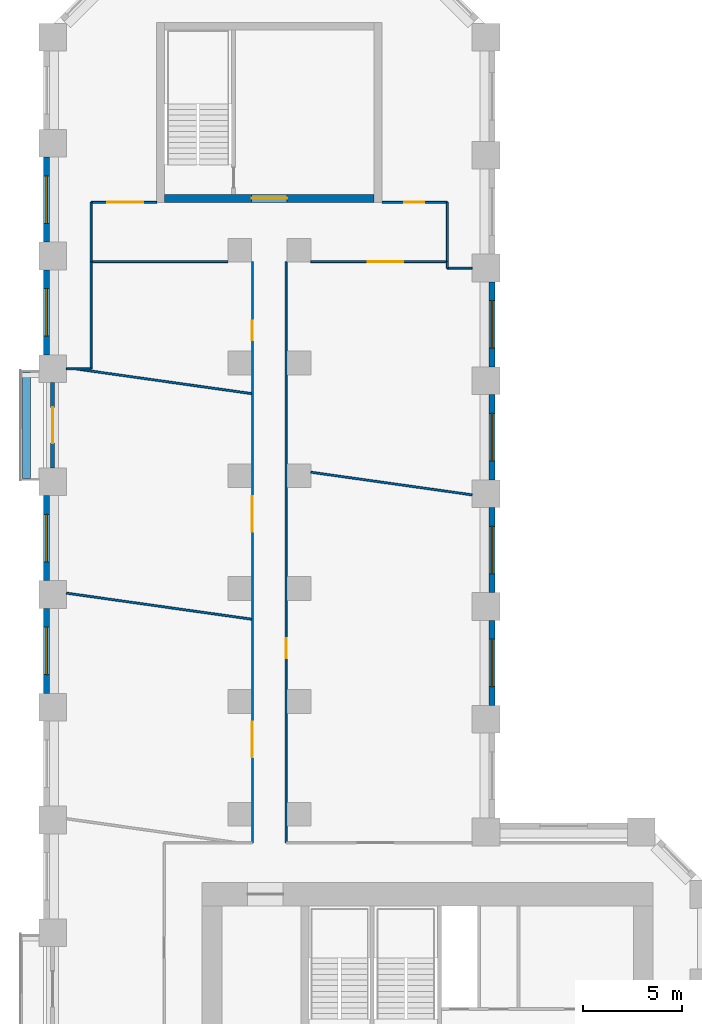
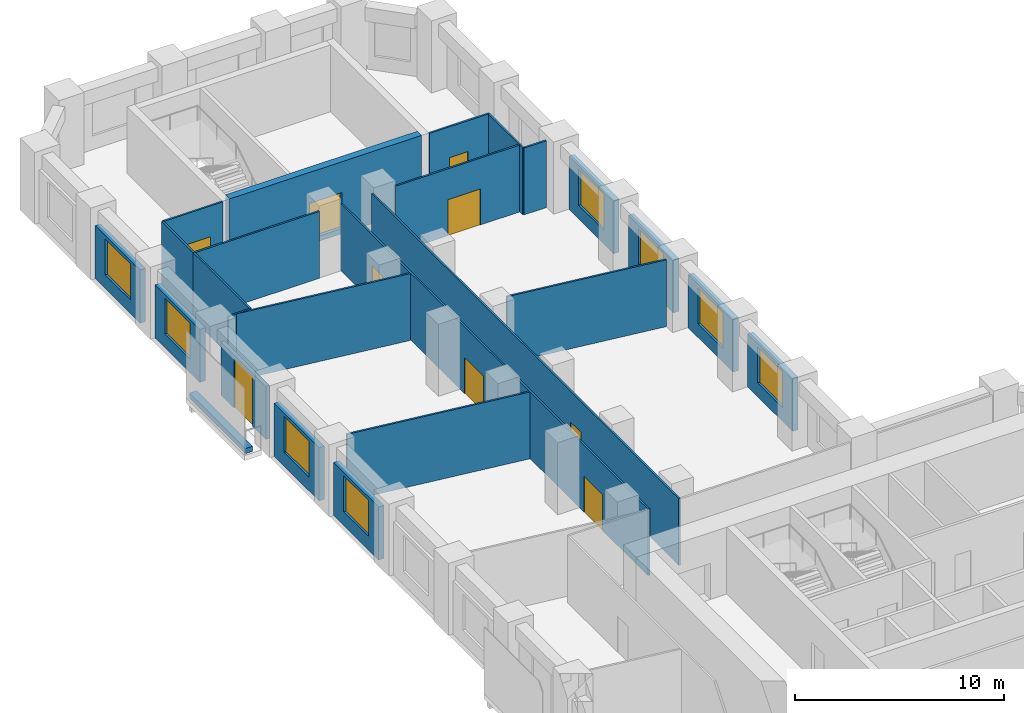
# One storey, part 8 of 11: 26 walls, 9 doors, 8 windows, 17 openings.
"""IFC4 building model written with IfcOpenShell, lengths in metres."""

import ifcopenshell
import ifcopenshell.guid

model = None  # the IFC model being written
_history = None  # IfcOwnerHistory: only IFC2X3 demands one
_inside = {}  # id of a spatial element -> (the spatial element, [elements in it])
_under = {}  # id of a project, library or spatial element -> (it, [spatial elements below it])
_declared = {}  # id of a project -> (the project, [libraries it declares])
_typed = {}  # id of a type object -> (the type object, [elements of that type])
_made_of = {}  # id of a material, layer set ... -> (it, [elements and type objects made of it])


def new_model(schema):
    """Start an empty IFC model of exactly this schema.

    Asked for "IFC4X3", IfcOpenShell would pick the latest addendum, in which some entities
    have other attributes; the version numbers below select the first issue.
    IFC2X3 requires an IfcOwnerHistory on every rooted entity: one is made here for all.
    """
    global model, _history
    if schema == "IFC4X3":
        model = ifcopenshell.file(schema_version=(4, 3, 0, 0))
    else:
        model = ifcopenshell.file(schema=schema)
    _inside.clear()
    _under.clear()
    _declared.clear()
    _typed.clear()
    _made_of.clear()
    _history = None
    if model.schema == "IFC2X3":
        org = make("IfcOrganization", Name="unknown")
        user = make(
            "IfcPersonAndOrganization",
            ThePerson=make("IfcPerson", FamilyName="unknown"),
            TheOrganization=org,
        )
        app = make(
            "IfcApplication",
            ApplicationDeveloper=org,
            Version="unknown",
            ApplicationFullName="unknown",
            ApplicationIdentifier="unknown",
        )
        _history = make(
            "IfcOwnerHistory",
            OwningUser=user,
            OwningApplication=app,
            ChangeAction="ADDED",
            CreationDate=0,
        )
    return model


def make(cls, **values):
    """One entity of the class cls with the attributes given. An attribute that is None is left unset."""
    return model.create_entity(
        cls, **{name: value for name, value in values.items() if value is not None}
    )


def rooted(cls, **values):
    """An entity with a GlobalId (a new one), such as an element, a storey or a relation."""
    return make(cls, GlobalId=ifcopenshell.guid.new(), OwnerHistory=_history, **values)


def si_unit(unit_type, name, prefix=None):
    """IfcSIUnit, for example si_unit("LENGTHUNIT", "METRE", prefix="MILLI")."""
    return make("IfcSIUnit", UnitType=unit_type, Prefix=prefix, Name=name)


def assignment(units):
    """IfcUnitAssignment: the units of a project."""
    return None if units is None else make("IfcUnitAssignment", Units=units)


def point(xyz):
    """IfcCartesianPoint."""
    return None if xyz is None else make("IfcCartesianPoint", Coordinates=xyz)


def direction(xyz):
    """IfcDirection."""
    return None if xyz is None else make("IfcDirection", DirectionRatios=xyz)


def frame(location, z_axis=None, x_axis=None):
    """IfcAxis2Placement3D, a coordinate frame: its origin and axes. An axis left out is left unset."""
    return make(
        "IfcAxis2Placement3D",
        Location=point(location),
        Axis=direction(z_axis),
        RefDirection=direction(x_axis),
    )


def frame_2d(location, x_axis=None):
    """IfcAxis2Placement2D, a coordinate frame in the plane: its origin and x axis."""
    return make(
        "IfcAxis2Placement2D", Location=point(location), RefDirection=direction(x_axis)
    )


def origin():
    """The frame at (0, 0, 0) with its axes left unset."""
    return frame((0.0, 0.0, 0.0))


def place(relative_to, where):
    """IfcLocalPlacement: puts the frame where relative to a parent placement (None: the world)."""
    return make(
        "IfcLocalPlacement", PlacementRelTo=relative_to, RelativePlacement=where
    )


def context(
    kind, dimensions, precision=None, world=None, true_north=None, identifier=None
):
    """IfcGeometricRepresentationContext, for example the 3D "Model" context."""
    return make(
        "IfcGeometricRepresentationContext",
        ContextIdentifier=identifier,
        ContextType=kind,
        CoordinateSpaceDimension=dimensions,
        Precision=precision,
        WorldCoordinateSystem=world,
        TrueNorth=true_north,
    )


def subcontext(parent, identifier, kind, view, scale=None):
    """IfcGeometricRepresentationSubContext, for example "Body" below "Model"."""
    return make(
        "IfcGeometricRepresentationSubContext",
        ContextIdentifier=identifier,
        ContextType=kind,
        ParentContext=parent,
        TargetScale=scale,
        TargetView=view,
    )


def project(units=None, contexts=None):
    """IfcProject with its units and contexts."""
    return rooted(
        "IfcProject",
        Name="project",
        RepresentationContexts=contexts,
        UnitsInContext=assignment(units),
    )


def spatial(cls, under=None, at=None, **own):
    """A site, building, storey or space (cls), placed at a placement, below another one or the project."""
    s = rooted(cls, ObjectPlacement=at, **own)
    if under is not None:
        _under.setdefault(under.id(), (under, []))[1].append(s)
    return s


def profile(cls, at=None, kind="AREA", **sizes):
    """A parametric profile (cls). Its sizes go by their IFC names, for example OverallWidth=200.0."""
    return make(cls, ProfileType=kind, Position=at, **sizes)


def rectangle(**sizes):
    """IfcRectangleProfileDef."""
    return profile("IfcRectangleProfileDef", **sizes)


def extrude(swept, where, along, depth):
    """IfcExtrudedAreaSolid: the profile swept, set in the frame where, extruded along a direction by depth."""
    return make(
        "IfcExtrudedAreaSolid",
        SweptArea=swept,
        Position=where,
        ExtrudedDirection=direction(along),
        Depth=depth,
    )


def shape(context_of_items, identifier, shape_type, items):
    """IfcShapeRepresentation: the items that make up one representation, for example the "Body"."""
    return make(
        "IfcShapeRepresentation",
        ContextOfItems=context_of_items,
        RepresentationIdentifier=identifier,
        RepresentationType=shape_type,
        Items=items,
    )


def material(Name=None, Category=None):
    """IfcMaterial."""
    return make("IfcMaterial", Name=Name, Category=Category)


def layer(
    of_material, thickness, ventilated=None, Name=None, Category=None, Priority=None
):
    """IfcMaterialLayer: one layer of a wall or slab, of a material (None: an air gap)."""
    return make(
        "IfcMaterialLayer",
        Material=of_material,
        LayerThickness=thickness,
        IsVentilated=ventilated,
        Name=Name,
        Category=Category,
        Priority=Priority,
    )


def layer_set(layers, Name=None):
    """IfcMaterialLayerSet."""
    return make("IfcMaterialLayerSet", MaterialLayers=layers, LayerSetName=Name)


def made_of(thing, what):
    """Note that an element or type object is made of a material, layer set ...; save() writes the relation."""
    if what is not None:
        _made_of.setdefault(what.id(), (what, []))[1].append(thing)
    return thing


def type_object(cls, material=None, **own):
    """A type object (cls), such as IfcWallType, which elements share."""
    return made_of(rooted(cls, **own), material)


def element(
    cls,
    number,
    at=None,
    inside=None,
    cuts=None,
    type_object=None,
    material=None,
    context=None,
    identifier="Body",
    shape_type=None,
    held_by="IfcProductDefinitionShape",
    body=None,
    shapes=None,
    **own,
):
    """One element of the class cls, such as IfcWall. Its Tag is "e" and its number.

    at: its placement. inside: the storey or other place that contains it. cuts: it is an
    opening in that element (IfcRelVoidsElement). A single representation is given by context,
    identifier, shape_type and body (its items); several are given by shapes. held_by: the class
    of the entity that holds the representations. save() writes the other relations.
    """
    e = rooted(cls, Tag="e%d" % number, ObjectPlacement=at, **own)
    if body is not None:
        shapes = [shape(context, identifier, shape_type, body)]
    if shapes is not None:
        e.Representation = make(held_by, Representations=shapes)
    if inside is not None:
        _inside.setdefault(inside.id(), (inside, []))[1].append(e)
    if cuts is not None:
        rooted(
            "IfcRelVoidsElement", RelatingBuildingElement=cuts, RelatedOpeningElement=e
        )
    if type_object is not None:
        _typed.setdefault(type_object.id(), (type_object, []))[1].append(e)
    return made_of(e, material)


def fill(opening, filler):
    """IfcRelFillsElement: the door or window that sits in an opening."""
    return rooted(
        "IfcRelFillsElement",
        RelatingOpeningElement=opening,
        RelatedBuildingElement=filler,
    )


def aggregate(whole, parts):
    """IfcRelAggregates: a whole, such as a stair, and the parts it consists of."""
    return rooted("IfcRelAggregates", RelatingObject=whole, RelatedObjects=parts)


def save(model, path):
    """Write the relations noted so far, then the file.

    IfcRelAggregates (storeys below a building ...), IfcRelContainedInSpatialStructure (elements
    in a storey), IfcRelDefinesByType, IfcRelAssociatesMaterial and IfcRelDeclares: one each for
    every whole, place, type object, material and project.
    """
    for whole, parts in _under.values():
        aggregate(whole, parts)
    for where, things in _inside.values():
        rooted(
            "IfcRelContainedInSpatialStructure",
            RelatedElements=things,
            RelatingStructure=where,
        )
    for kind, things in _typed.values():
        rooted("IfcRelDefinesByType", RelatedObjects=things, RelatingType=kind)
    for what, things in _made_of.values():
        rooted("IfcRelAssociatesMaterial", RelatedObjects=things, RelatingMaterial=what)
    for by, libraries in _declared.values():
        rooted("IfcRelDeclares", RelatingContext=by, RelatedDefinitions=libraries)
    model.write(path)


model = new_model("IFC4")

# Units and contexts
model_context = context("Model", 3, precision=1e-05, world=origin(), true_north=direction((0.0, 1.0)))
body_context = subcontext(model_context, "Body", "Model", "MODEL_VIEW")
ifc_project = project(units=[si_unit("LENGTHUNIT", "METRE"), si_unit("AREAUNIT", "SQUARE_METRE"), si_unit("VOLUMEUNIT", "CUBIC_METRE"), si_unit("PLANEANGLEUNIT", "RADIAN"), si_unit("MASSUNIT", "GRAM", prefix="KILO")], contexts=[model_context])

# Site, building, storey
site_placement = place(None, origin())
site = spatial("IfcSite", under=ifc_project, at=site_placement, CompositionType="ELEMENT")
building_placement = place(site_placement, origin())
building = spatial("IfcBuilding", under=site, at=building_placement, Name="Meshkara Civic Tower", CompositionType="ELEMENT")
storey_placement = place(building_placement, frame((0.0, 0.0, 75.0)))
storey = spatial("IfcBuildingStorey", under=building, at=storey_placement, Name="L16", CompositionType="ELEMENT", Elevation=75.0)

# Walls
ifc_material_1 = material(Name="Corridor wall 100")
ifc_layer_1 = layer(ifc_material_1, 0.10009765625)
ifc_layer_set_1 = layer_set([ifc_layer_1], Name="Corridor wall 100")
wall_type_1 = type_object("IfcWallType", Name="Corridor wall 100", PredefinedType="PARTITIONING", material=ifc_layer_set_1)
wall_1_placement = place(storey_placement, frame((2.39990234375, 68.27001953125, 0.0), z_axis=(0.0, 0.0, 1.0), x_axis=(1.0, 0.0, 0.0)))
element("IfcWall", 1, at=wall_1_placement, inside=storey, type_object=wall_type_1, Name="L16-W001", PredefinedType="PARTITIONING", context=body_context, shape_type="SweptSolid", body=[
    extrude(rectangle(XDim=6.900146484375, YDim=0.10009765625, at=frame_2d((3.4501953125, 0.0))), origin(), (0.0, 0.0, 1.0), 3.89990234375),
])
wall_2_placement = place(storey_placement, frame((2.39990234375, 71.27001953125, 0.0), z_axis=(0.0, 0.0, 1.0), x_axis=(0.0, -1.0, 0.0)))
element("IfcWall", 2, at=wall_2_placement, inside=storey, type_object=wall_type_1, Name="L16-W002", PredefinedType="PARTITIONING", context=body_context, shape_type="SweptSolid", body=[
    extrude(rectangle(XDim=3.0, YDim=0.10009765625, at=frame_2d((1.5, 0.0))), origin(), (0.0, 0.0, 1.0), 3.89990234375),
])

# Wall, opening, door
wall_3_placement = place(storey_placement, frame((5.699951171875, 71.27001953125, 0.0), z_axis=(0.0, 0.0, 1.0), x_axis=(-1.0, 0.0, 0.0)))
wall_3 = element("IfcWall", 3, at=wall_3_placement, inside=storey, type_object=wall_type_1, Name="L16-W003", PredefinedType="PARTITIONING", context=body_context, shape_type="SweptSolid", body=[
    extrude(rectangle(XDim=3.300048828125, YDim=0.10009765625, at=frame_2d((1.64990234375, 0.0))), origin(), (0.0, 0.0, 1.0), 3.89990234375),
])
opening_1_placement = place(wall_3_placement, frame((0.679931640625, 0.0, 0.0)))
opening_1 = element("IfcOpeningElement", 4, at=opening_1_placement, cuts=wall_3, Name="Opening L16-D025", PredefinedType="OPENING", context=body_context, shape_type="SweptSolid", body=[
    extrude(rectangle(XDim=1.800048828125, YDim=2.10009765625, at=frame_2d((0.89990234375, 1.050048828125))), frame((0.0, 0.06005859375, 0.0), z_axis=(0.0, -1.0, 0.0), x_axis=(1.0, 0.0, 0.0)), (0.0, 0.0, 1.0), 0.1201171875),
])
ifc_material_2 = material(Name="Door pair 1800 x 2100")
door_type_1 = type_object("IfcDoorType", Name="Door pair 1800 x 2100", OperationType="SINGLE_SWING_LEFT", PredefinedType="DOOR", material=ifc_material_2)
door_1_placement = place(opening_1_placement, origin())
door_1 = element("IfcDoor", 5, at=door_1_placement, inside=storey, type_object=door_type_1, Name="L16-D025", OperationType="DOUBLE_DOOR_SINGLE_SWING", OverallHeight=2.10009765625, OverallWidth=1.800048828125, PredefinedType="DOOR", context=body_context, shape_type="SweptSolid", body=[
    extrude(rectangle(XDim=1.800048828125, YDim=2.10009765625, at=frame_2d((0.89990234375, 1.050048828125))), frame((0.0, 0.02490234375, 0.0), z_axis=(0.0, -1.0, 0.0), x_axis=(1.0, 0.0, 0.0)), (0.0, 0.0, 1.0), 0.050048828125),
])
fill(opening_1, door_1)

# Wall, openings, doors
wall_4_placement = place(storey_placement, frame((10.550048828125, 68.27001953125, 0.0), z_axis=(0.0, 0.0, 1.0), x_axis=(0.0, -1.0, 0.0)))
wall_4 = element("IfcWall", 6, at=wall_4_placement, inside=storey, type_object=wall_type_1, Name="L16-W012", PredefinedType="PARTITIONING", context=body_context, shape_type="SweptSolid", body=[
    extrude(rectangle(XDim=29.3701171875, YDim=0.10009765625, at=frame_2d((14.68505859375, 0.0))), origin(), (0.0, 0.0, 1.0), 3.89990234375),
])
opening_2_placement = place(wall_4_placement, frame((23.2451171875, 0.0, 0.0)))
opening_2 = element("IfcOpeningElement", 7, at=opening_2_placement, cuts=wall_4, Name="Opening L16-D021", PredefinedType="OPENING", context=body_context, shape_type="SweptSolid", body=[
    extrude(rectangle(XDim=1.800048828125, YDim=2.10009765625, at=frame_2d((0.89990234375, 1.050048828125))), frame((0.0, 0.06005859375, 0.0), z_axis=(0.0, -1.0, 0.0), x_axis=(1.0, 0.0, 0.0)), (0.0, 0.0, 1.0), 0.1201171875),
])
opening_3_placement = place(wall_4_placement, frame((11.844970703125, 0.0, 0.0)))
opening_3 = element("IfcOpeningElement", 8, at=opening_3_placement, cuts=wall_4, Name="Opening L16-D023", PredefinedType="OPENING", context=body_context, shape_type="SweptSolid", body=[
    extrude(rectangle(XDim=1.800048828125, YDim=2.10009765625, at=frame_2d((0.89990234375, 1.050048828125))), frame((0.0, 0.06005859375, 0.0), z_axis=(0.0, -1.0, 0.0), x_axis=(1.0, 0.0, 0.0)), (0.0, 0.0, 1.0), 0.1201171875),
])
opening_4_placement = place(wall_4_placement, frame((2.97998046875, 0.0, 0.0)))
opening_4 = element("IfcOpeningElement", 9, at=opening_4_placement, cuts=wall_4, Name="Opening L16-D024", PredefinedType="OPENING", context=body_context, shape_type="SweptSolid", body=[
    extrude(rectangle(XDim=1.0, YDim=2.10009765625, at=frame_2d((0.5, 1.050048828125))), frame((0.0, 0.06005859375, 0.0), z_axis=(0.0, -1.0, 0.0), x_axis=(1.0, 0.0, 0.0)), (0.0, 0.0, 1.0), 0.1201171875),
])
ifc_material_3 = material(Name="Door 1000 x 2100")
door_type_2 = type_object("IfcDoorType", Name="Door 1000 x 2100", OperationType="SINGLE_SWING_LEFT", PredefinedType="DOOR", material=ifc_material_3)
door_2_placement = place(opening_4_placement, origin())
door_2 = element("IfcDoor", 10, at=door_2_placement, inside=storey, type_object=door_type_2, Name="L16-D024", OperationType="SINGLE_SWING_LEFT", OverallHeight=2.10009765625, OverallWidth=1.0, PredefinedType="DOOR", context=body_context, shape_type="SweptSolid", body=[
    extrude(rectangle(XDim=1.0, YDim=2.10009765625, at=frame_2d((0.5, 1.050048828125))), frame((0.0, 0.02490234375, 0.0), z_axis=(0.0, -1.0, 0.0), x_axis=(1.0, 0.0, 0.0)), (0.0, 0.0, 1.0), 0.050048828125),
])
fill(opening_4, door_2)
door_3_placement = place(opening_2_placement, origin())
door_3 = element("IfcDoor", 11, at=door_3_placement, inside=storey, type_object=door_type_1, Name="L16-D021", OperationType="DOUBLE_DOOR_SINGLE_SWING", OverallHeight=2.10009765625, OverallWidth=1.800048828125, PredefinedType="DOOR", context=body_context, shape_type="SweptSolid", body=[
    extrude(rectangle(XDim=1.800048828125, YDim=2.10009765625, at=frame_2d((0.89990234375, 1.050048828125))), frame((0.0, 0.02490234375, 0.0), z_axis=(0.0, -1.0, 0.0), x_axis=(1.0, 0.0, 0.0)), (0.0, 0.0, 1.0), 0.050048828125),
])
fill(opening_2, door_3)
door_4_placement = place(opening_3_placement, origin())
door_4 = element("IfcDoor", 12, at=door_4_placement, inside=storey, type_object=door_type_1, Name="L16-D023", OperationType="DOUBLE_DOOR_SINGLE_SWING", OverallHeight=2.10009765625, OverallWidth=1.800048828125, PredefinedType="DOOR", context=body_context, shape_type="SweptSolid", body=[
    extrude(rectangle(XDim=1.800048828125, YDim=2.10009765625, at=frame_2d((0.89990234375, 1.050048828125))), frame((0.0, 0.02490234375, 0.0), z_axis=(0.0, -1.0, 0.0), x_axis=(1.0, 0.0, 0.0)), (0.0, 0.0, 1.0), 0.050048828125),
])
fill(opening_3, door_4)

# Wall, opening, door
wall_5_placement = place(storey_placement, frame((12.25, 68.27001953125, 0.0), z_axis=(0.0, 0.0, 1.0), x_axis=(0.0, -1.0, 0.0)))
wall_5 = element("IfcWall", 13, at=wall_5_placement, inside=storey, type_object=wall_type_1, Name="L16-W013", PredefinedType="PARTITIONING", context=body_context, shape_type="SweptSolid", body=[
    extrude(rectangle(XDim=29.3701171875, YDim=0.10009765625, at=frame_2d((14.68505859375, 0.0))), origin(), (0.0, 0.0, 1.0), 3.89990234375),
])
opening_5_placement = place(wall_5_placement, frame((19.0419921875, 0.0, 0.0)))
opening_5 = element("IfcOpeningElement", 14, at=opening_5_placement, cuts=wall_5, Name="Opening L16-D022", PredefinedType="OPENING", context=body_context, shape_type="SweptSolid", body=[
    extrude(rectangle(XDim=1.0, YDim=2.10009765625, at=frame_2d((0.5, 1.050048828125))), frame((0.0, 0.06005859375, 0.0), z_axis=(0.0, -1.0, 0.0), x_axis=(1.0, 0.0, 0.0)), (0.0, 0.0, 1.0), 0.1201171875),
])
door_5_placement = place(opening_5_placement, origin())
door_5 = element("IfcDoor", 15, at=door_5_placement, inside=storey, type_object=door_type_2, Name="L16-D022", OperationType="SINGLE_SWING_LEFT", OverallHeight=2.10009765625, OverallWidth=1.0, PredefinedType="DOOR", context=body_context, shape_type="SweptSolid", body=[
    extrude(rectangle(XDim=1.0, YDim=2.10009765625, at=frame_2d((0.5, 1.050048828125))), frame((0.0, 0.02490234375, 0.0), z_axis=(0.0, -1.0, 0.0), x_axis=(1.0, 0.0, 0.0)), (0.0, 0.0, 1.0), 0.050048828125),
])
fill(opening_5, door_5)

wall_6_placement = place(storey_placement, frame((13.5, 68.27001953125, 0.0), z_axis=(0.0, 0.0, 1.0), x_axis=(1.0, 0.0, 0.0)))
wall_6 = element("IfcWall", 16, at=wall_6_placement, inside=storey, type_object=wall_type_1, Name="L16-W015", PredefinedType="PARTITIONING", context=body_context, shape_type="SweptSolid", body=[
    extrude(rectangle(XDim=6.89990234375, YDim=0.10009765625, at=frame_2d((3.449951171875, 0.0))), origin(), (0.0, 0.0, 1.0), 3.89990234375),
])
opening_6_placement = place(wall_6_placement, frame((2.8798828125, 0.0, 0.0)))
opening_6 = element("IfcOpeningElement", 17, at=opening_6_placement, cuts=wall_6, Name="Opening L16-D026", PredefinedType="OPENING", context=body_context, shape_type="SweptSolid", body=[
    extrude(rectangle(XDim=1.800048828125, YDim=2.10009765625, at=frame_2d((0.89990234375, 1.050048828125))), frame((0.0, 0.06005859375, 0.0), z_axis=(0.0, -1.0, 0.0), x_axis=(1.0, 0.0, 0.0)), (0.0, 0.0, 1.0), 0.1201171875),
])
door_6_placement = place(opening_6_placement, origin())
door_6 = element("IfcDoor", 18, at=door_6_placement, inside=storey, type_object=door_type_1, Name="L16-D026", OperationType="DOUBLE_DOOR_SINGLE_SWING", OverallHeight=2.10009765625, OverallWidth=1.800048828125, PredefinedType="DOOR", context=body_context, shape_type="SweptSolid", body=[
    extrude(rectangle(XDim=1.800048828125, YDim=2.10009765625, at=frame_2d((0.89990234375, 1.050048828125))), frame((0.0, 0.02490234375, 0.0), z_axis=(0.0, -1.0, 0.0), x_axis=(1.0, 0.0, 0.0)), (0.0, 0.0, 1.0), 0.050048828125),
])
fill(opening_6, door_6)

# Wall
wall_7_placement = place(storey_placement, frame((20.39990234375, 68.27001953125, 0.0), z_axis=(0.0, 0.0, 1.0), x_axis=(0.0, 1.0, 0.0)))
element("IfcWall", 19, at=wall_7_placement, inside=storey, type_object=wall_type_1, Name="L16-W016", PredefinedType="PARTITIONING", context=body_context, shape_type="SweptSolid", body=[
    extrude(rectangle(XDim=3.0, YDim=0.10009765625, at=frame_2d((1.5, 0.0))), origin(), (0.0, 0.0, 1.0), 3.89990234375),
])

# Wall, opening, door
wall_8_placement = place(storey_placement, frame((20.39990234375, 71.27001953125, 0.0), z_axis=(0.0, 0.0, 1.0), x_axis=(-1.0, 0.0, 0.0)))
wall_8 = element("IfcWall", 20, at=wall_8_placement, inside=storey, type_object=wall_type_1, Name="L16-W017", PredefinedType="PARTITIONING", context=body_context, shape_type="SweptSolid", body=[
    extrude(rectangle(XDim=3.2998046875, YDim=0.10009765625, at=frame_2d((1.64990234375, 0.0))), origin(), (0.0, 0.0, 1.0), 3.89990234375),
])
opening_7_placement = place(wall_8_placement, frame((1.179931640625, 0.0, 0.0)))
opening_7 = element("IfcOpeningElement", 21, at=opening_7_placement, cuts=wall_8, Name="Opening L16-D027", PredefinedType="OPENING", context=body_context, shape_type="SweptSolid", body=[
    extrude(rectangle(XDim=1.0, YDim=2.10009765625, at=frame_2d((0.5, 1.050048828125))), frame((0.0, 0.06005859375, 0.0), z_axis=(0.0, -1.0, 0.0), x_axis=(1.0, 0.0, 0.0)), (0.0, 0.0, 1.0), 0.1201171875),
])
door_7_placement = place(opening_7_placement, origin())
door_7 = element("IfcDoor", 22, at=door_7_placement, inside=storey, type_object=door_type_2, Name="L16-D027", OperationType="SINGLE_SWING_LEFT", OverallHeight=2.10009765625, OverallWidth=1.0, PredefinedType="DOOR", context=body_context, shape_type="SweptSolid", body=[
    extrude(rectangle(XDim=1.0, YDim=2.10009765625, at=frame_2d((0.5, 1.050048828125))), frame((0.0, 0.02490234375, 0.0), z_axis=(0.0, -1.0, 0.0), x_axis=(1.0, 0.0, 0.0)), (0.0, 0.0, 1.0), 0.050048828125),
])
fill(opening_7, door_7)

# Wall, opening, window
ifc_material_4 = material(Name="Insulated infill panel with bronze anodised aluminium cladding", Category="aluminium")
ifc_layer_2 = layer(ifc_material_4, 0.300048828125)
ifc_layer_set_2 = layer_set([ifc_layer_2], Name="EXTERNAL INFILL WALL 300")
wall_type_2 = type_object("IfcWallType", Name="EXTERNAL INFILL WALL 300", PredefinedType="SOLIDWALL", material=ifc_layer_set_2)
wall_9_placement = place(storey_placement, frame((22.64990234375, 45.85009765625, 0.0), z_axis=(0.0, 0.0, 1.0), x_axis=(0.0, 1.0, 0.0)))
wall_9 = element("IfcWall", 23, at=wall_9_placement, inside=storey, type_object=wall_type_2, Name="External wall", PredefinedType="SOLIDWALL", context=body_context, shape_type="SweptSolid", body=[
    extrude(rectangle(XDim=4.2998046875, YDim=0.300048828125, at=frame_2d((2.14990234375, 0.0))), origin(), (0.0, 0.0, 1.0), 3.10009765625),
])
opening_8_placement = place(wall_9_placement, frame((0.949951171875, 0.0, 0.800048828125)))
opening_8 = element("IfcOpeningElement", 24, at=opening_8_placement, cuts=wall_9, Name="Opening W7", PredefinedType="OPENING", context=body_context, shape_type="SweptSolid", body=[
    extrude(rectangle(XDim=2.39990234375, YDim=2.10009765625, at=frame_2d((1.199951171875, 1.050048828125))), frame((0.0, 0.159912109375, 0.0), z_axis=(0.0, -1.0, 0.0), x_axis=(1.0, 0.0, 0.0)), (0.0, 0.0, 1.0), 0.320068359375),
])
ifc_material_5 = material(Name="Tinted double glazing", Category="glass")
window_type = type_object("IfcWindowType", Name="WINDOW 2400x2100", PartitioningType="DOUBLE_PANEL_VERTICAL", PredefinedType="WINDOW", material=ifc_material_5)
window_1_placement = place(opening_8_placement, origin())
window_1 = element("IfcWindow", 25, at=window_1_placement, inside=storey, type_object=window_type, Name="Window", OverallHeight=2.10009765625, OverallWidth=2.39990234375, PartitioningType="DOUBLE_PANEL_VERTICAL", PredefinedType="WINDOW", context=body_context, shape_type="SweptSolid", body=[
    extrude(rectangle(XDim=2.39990234375, YDim=2.10009765625, at=frame_2d((1.199951171875, 1.050048828125))), frame((0.0, 0.030029296875, 0.0), z_axis=(0.0, -1.0, 0.0), x_axis=(1.0, 0.0, 0.0)), (0.0, 0.0, 1.0), 0.06005859375),
])
fill(opening_8, window_1)

wall_10_placement = place(storey_placement, frame((22.64990234375, 51.550048828125, 0.0), z_axis=(0.0, 0.0, 1.0), x_axis=(0.0, 1.0, 0.0)))
wall_10 = element("IfcWall", 26, at=wall_10_placement, inside=storey, type_object=wall_type_2, Name="External wall", PredefinedType="SOLIDWALL", context=body_context, shape_type="SweptSolid", body=[
    extrude(rectangle(XDim=4.300048828125, YDim=0.300048828125, at=frame_2d((2.14990234375, 0.0))), origin(), (0.0, 0.0, 1.0), 3.10009765625),
])
opening_9_placement = place(wall_10_placement, frame((0.949951171875, 0.0, 0.800048828125)))
opening_9 = element("IfcOpeningElement", 27, at=opening_9_placement, cuts=wall_10, Name="Opening W7", PredefinedType="OPENING", context=body_context, shape_type="SweptSolid", body=[
    extrude(rectangle(XDim=2.39990234375, YDim=2.10009765625, at=frame_2d((1.199951171875, 1.050048828125))), frame((0.0, 0.159912109375, 0.0), z_axis=(0.0, -1.0, 0.0), x_axis=(1.0, 0.0, 0.0)), (0.0, 0.0, 1.0), 0.320068359375),
])
window_2_placement = place(opening_9_placement, origin())
window_2 = element("IfcWindow", 28, at=window_2_placement, inside=storey, type_object=window_type, Name="Window", OverallHeight=2.10009765625, OverallWidth=2.39990234375, PartitioningType="DOUBLE_PANEL_VERTICAL", PredefinedType="WINDOW", context=body_context, shape_type="SweptSolid", body=[
    extrude(rectangle(XDim=2.39990234375, YDim=2.10009765625, at=frame_2d((1.199951171875, 1.050048828125))), frame((0.0, 0.030029296875, 0.0), z_axis=(0.0, -1.0, 0.0), x_axis=(1.0, 0.0, 0.0)), (0.0, 0.0, 1.0), 0.06005859375),
])
fill(opening_9, window_2)

wall_11_placement = place(storey_placement, frame((22.64990234375, 57.25, 0.0), z_axis=(0.0, 0.0, 1.0), x_axis=(0.0, 1.0, 0.0)))
wall_11 = element("IfcWall", 29, at=wall_11_placement, inside=storey, type_object=wall_type_2, Name="External wall", PredefinedType="SOLIDWALL", context=body_context, shape_type="SweptSolid", body=[
    extrude(rectangle(XDim=4.300048828125, YDim=0.300048828125, at=frame_2d((2.14990234375, 0.0))), origin(), (0.0, 0.0, 1.0), 3.10009765625),
])
opening_10_placement = place(wall_11_placement, frame((0.949951171875, 0.0, 0.800048828125)))
opening_10 = element("IfcOpeningElement", 30, at=opening_10_placement, cuts=wall_11, Name="Opening W7", PredefinedType="OPENING", context=body_context, shape_type="SweptSolid", body=[
    extrude(rectangle(XDim=2.39990234375, YDim=2.10009765625, at=frame_2d((1.199951171875, 1.050048828125))), frame((0.0, 0.159912109375, 0.0), z_axis=(0.0, -1.0, 0.0), x_axis=(1.0, 0.0, 0.0)), (0.0, 0.0, 1.0), 0.320068359375),
])
window_3_placement = place(opening_10_placement, origin())
window_3 = element("IfcWindow", 31, at=window_3_placement, inside=storey, type_object=window_type, Name="Window", OverallHeight=2.10009765625, OverallWidth=2.39990234375, PartitioningType="DOUBLE_PANEL_VERTICAL", PredefinedType="WINDOW", context=body_context, shape_type="SweptSolid", body=[
    extrude(rectangle(XDim=2.39990234375, YDim=2.10009765625, at=frame_2d((1.199951171875, 1.050048828125))), frame((0.0, 0.030029296875, 0.0), z_axis=(0.0, -1.0, 0.0), x_axis=(1.0, 0.0, 0.0)), (0.0, 0.0, 1.0), 0.06005859375),
])
fill(opening_10, window_3)

wall_12_placement = place(storey_placement, frame((22.64990234375, 62.949951171875, 0.0), z_axis=(0.0, 0.0, 1.0), x_axis=(0.0, 1.0, 0.0)))
wall_12 = element("IfcWall", 32, at=wall_12_placement, inside=storey, type_object=wall_type_2, Name="External wall", PredefinedType="SOLIDWALL", context=body_context, shape_type="SweptSolid", body=[
    extrude(rectangle(XDim=4.300048828125, YDim=0.300048828125, at=frame_2d((2.14990234375, 0.0))), origin(), (0.0, 0.0, 1.0), 3.10009765625),
])
opening_11_placement = place(wall_12_placement, frame((0.949951171875, 0.0, 0.800048828125)))
opening_11 = element("IfcOpeningElement", 33, at=opening_11_placement, cuts=wall_12, Name="Opening W7", PredefinedType="OPENING", context=body_context, shape_type="SweptSolid", body=[
    extrude(rectangle(XDim=2.39990234375, YDim=2.10009765625, at=frame_2d((1.199951171875, 1.050048828125))), frame((0.0, 0.159912109375, 0.0), z_axis=(0.0, -1.0, 0.0), x_axis=(1.0, 0.0, 0.0)), (0.0, 0.0, 1.0), 0.320068359375),
])
window_4_placement = place(opening_11_placement, origin())
window_4 = element("IfcWindow", 34, at=window_4_placement, inside=storey, type_object=window_type, Name="Window", OverallHeight=2.10009765625, OverallWidth=2.39990234375, PartitioningType="DOUBLE_PANEL_VERTICAL", PredefinedType="WINDOW", context=body_context, shape_type="SweptSolid", body=[
    extrude(rectangle(XDim=2.39990234375, YDim=2.10009765625, at=frame_2d((1.199951171875, 1.050048828125))), frame((0.0, 0.030029296875, 0.0), z_axis=(0.0, -1.0, 0.0), x_axis=(1.0, 0.0, 0.0)), (0.0, 0.0, 1.0), 0.06005859375),
])
fill(opening_11, window_4)

wall_13_placement = place(storey_placement, frame((0.14990234375, 73.554931640625, 0.0), z_axis=(0.0, 0.0, 1.0), x_axis=(0.0, -1.0, 0.0)))
wall_13 = element("IfcWall", 35, at=wall_13_placement, inside=storey, type_object=wall_type_2, Name="External wall", PredefinedType="SOLIDWALL", context=body_context, shape_type="SweptSolid", body=[
    extrude(rectangle(XDim=4.300048828125, YDim=0.300048828125, at=frame_2d((2.14990234375, 0.0))), origin(), (0.0, 0.0, 1.0), 3.10009765625),
])
opening_12_placement = place(wall_13_placement, frame((0.949951171875, 0.0, 0.800048828125)))
opening_12 = element("IfcOpeningElement", 36, at=opening_12_placement, cuts=wall_13, Name="Opening W7", PredefinedType="OPENING", context=body_context, shape_type="SweptSolid", body=[
    extrude(rectangle(XDim=2.39990234375, YDim=2.10009765625, at=frame_2d((1.199951171875, 1.050048828125))), frame((0.0, 0.159912109375, 0.0), z_axis=(0.0, -1.0, 0.0), x_axis=(1.0, 0.0, 0.0)), (0.0, 0.0, 1.0), 0.320068359375),
])
window_5_placement = place(opening_12_placement, origin())
window_5 = element("IfcWindow", 37, at=window_5_placement, inside=storey, type_object=window_type, Name="Window", OverallHeight=2.10009765625, OverallWidth=2.39990234375, PartitioningType="DOUBLE_PANEL_VERTICAL", PredefinedType="WINDOW", context=body_context, shape_type="SweptSolid", body=[
    extrude(rectangle(XDim=2.39990234375, YDim=2.10009765625, at=frame_2d((1.199951171875, 1.050048828125))), frame((0.0, 0.030029296875, 0.0), z_axis=(0.0, -1.0, 0.0), x_axis=(1.0, 0.0, 0.0)), (0.0, 0.0, 1.0), 0.06005859375),
])
fill(opening_12, window_5)

wall_14_placement = place(storey_placement, frame((0.14990234375, 67.85498046875, 0.0), z_axis=(0.0, 0.0, 1.0), x_axis=(0.0, -1.0, 0.0)))
wall_14 = element("IfcWall", 38, at=wall_14_placement, inside=storey, type_object=wall_type_2, Name="External wall", PredefinedType="SOLIDWALL", context=body_context, shape_type="SweptSolid", body=[
    extrude(rectangle(XDim=4.300048828125, YDim=0.300048828125, at=frame_2d((2.14990234375, 0.0))), origin(), (0.0, 0.0, 1.0), 3.10009765625),
])
opening_13_placement = place(wall_14_placement, frame((0.949951171875, 0.0, 0.800048828125)))
opening_13 = element("IfcOpeningElement", 39, at=opening_13_placement, cuts=wall_14, Name="Opening W7", PredefinedType="OPENING", context=body_context, shape_type="SweptSolid", body=[
    extrude(rectangle(XDim=2.39990234375, YDim=2.10009765625, at=frame_2d((1.199951171875, 1.050048828125))), frame((0.0, 0.159912109375, 0.0), z_axis=(0.0, -1.0, 0.0), x_axis=(1.0, 0.0, 0.0)), (0.0, 0.0, 1.0), 0.320068359375),
])
window_6_placement = place(opening_13_placement, origin())
window_6 = element("IfcWindow", 40, at=window_6_placement, inside=storey, type_object=window_type, Name="Window", OverallHeight=2.10009765625, OverallWidth=2.39990234375, PartitioningType="DOUBLE_PANEL_VERTICAL", PredefinedType="WINDOW", context=body_context, shape_type="SweptSolid", body=[
    extrude(rectangle(XDim=2.39990234375, YDim=2.10009765625, at=frame_2d((1.199951171875, 1.050048828125))), frame((0.0, 0.030029296875, 0.0), z_axis=(0.0, -1.0, 0.0), x_axis=(1.0, 0.0, 0.0)), (0.0, 0.0, 1.0), 0.06005859375),
])
fill(opening_13, window_6)

wall_15_placement = place(storey_placement, frame((0.14990234375, 56.455078125, 0.0), z_axis=(0.0, 0.0, 1.0), x_axis=(0.0, -1.0, 0.0)))
wall_15 = element("IfcWall", 41, at=wall_15_placement, inside=storey, type_object=wall_type_2, Name="External wall", PredefinedType="SOLIDWALL", context=body_context, shape_type="SweptSolid", body=[
    extrude(rectangle(XDim=4.300048828125, YDim=0.300048828125, at=frame_2d((2.14990234375, 0.0))), origin(), (0.0, 0.0, 1.0), 3.10009765625),
])
opening_14_placement = place(wall_15_placement, frame((0.949951171875, 0.0, 0.800048828125)))
opening_14 = element("IfcOpeningElement", 42, at=opening_14_placement, cuts=wall_15, Name="Opening W7", PredefinedType="OPENING", context=body_context, shape_type="SweptSolid", body=[
    extrude(rectangle(XDim=2.39990234375, YDim=2.10009765625, at=frame_2d((1.199951171875, 1.050048828125))), frame((0.0, 0.159912109375, 0.0), z_axis=(0.0, -1.0, 0.0), x_axis=(1.0, 0.0, 0.0)), (0.0, 0.0, 1.0), 0.320068359375),
])
window_7_placement = place(opening_14_placement, origin())
window_7 = element("IfcWindow", 43, at=window_7_placement, inside=storey, type_object=window_type, Name="Window", OverallHeight=2.10009765625, OverallWidth=2.39990234375, PartitioningType="DOUBLE_PANEL_VERTICAL", PredefinedType="WINDOW", context=body_context, shape_type="SweptSolid", body=[
    extrude(rectangle(XDim=2.39990234375, YDim=2.10009765625, at=frame_2d((1.199951171875, 1.050048828125))), frame((0.0, 0.030029296875, 0.0), z_axis=(0.0, -1.0, 0.0), x_axis=(1.0, 0.0, 0.0)), (0.0, 0.0, 1.0), 0.06005859375),
])
fill(opening_14, window_7)

wall_16_placement = place(storey_placement, frame((0.14990234375, 50.7548828125, 0.0), z_axis=(0.0, 0.0, 1.0), x_axis=(0.0, -1.0, 0.0)))
wall_16 = element("IfcWall", 44, at=wall_16_placement, inside=storey, type_object=wall_type_2, Name="External wall", PredefinedType="SOLIDWALL", context=body_context, shape_type="SweptSolid", body=[
    extrude(rectangle(XDim=4.2998046875, YDim=0.300048828125, at=frame_2d((2.14990234375, 0.0))), origin(), (0.0, 0.0, 1.0), 3.10009765625),
])
opening_15_placement = place(wall_16_placement, frame((0.949951171875, 0.0, 0.800048828125)))
opening_15 = element("IfcOpeningElement", 45, at=opening_15_placement, cuts=wall_16, Name="Opening W7", PredefinedType="OPENING", context=body_context, shape_type="SweptSolid", body=[
    extrude(rectangle(XDim=2.39990234375, YDim=2.10009765625, at=frame_2d((1.199951171875, 1.050048828125))), frame((0.0, 0.159912109375, 0.0), z_axis=(0.0, -1.0, 0.0), x_axis=(1.0, 0.0, 0.0)), (0.0, 0.0, 1.0), 0.320068359375),
])
window_8_placement = place(opening_15_placement, origin())
window_8 = element("IfcWindow", 46, at=window_8_placement, inside=storey, type_object=window_type, Name="Window", OverallHeight=2.10009765625, OverallWidth=2.39990234375, PartitioningType="DOUBLE_PANEL_VERTICAL", PredefinedType="WINDOW", context=body_context, shape_type="SweptSolid", body=[
    extrude(rectangle(XDim=2.39990234375, YDim=2.10009765625, at=frame_2d((1.199951171875, 1.050048828125))), frame((0.0, 0.030029296875, 0.0), z_axis=(0.0, -1.0, 0.0), x_axis=(1.0, 0.0, 0.0)), (0.0, 0.0, 1.0), 0.06005859375),
])
fill(opening_15, window_8)

# Wall, opening, door
ifc_material_6 = material(Name="Concrete C80", Category="concrete")
ifc_layer_3 = layer(ifc_material_6, 0.39990234375)
ifc_layer_set_3 = layer_set([ifc_layer_3], Name="End core ring wall 400 C80")
wall_type_3 = type_object("IfcWallType", Name="End core ring wall 400 C80", PredefinedType="SHEAR", material=ifc_layer_set_3)
wall_17_placement = place(storey_placement, frame((6.10009765625, 71.469970703125, -0.300048828125), z_axis=(0.0, 0.0, 1.0), x_axis=(1.0, 0.0, 0.0)))
wall_17 = element("IfcWall", 47, at=wall_17_placement, inside=storey, type_object=wall_type_3, Name="L16-C028", PredefinedType="SHEAR", context=body_context, shape_type="SweptSolid", body=[
    extrude(rectangle(XDim=10.599853515625, YDim=0.39990234375, at=frame_2d((5.2998046875, 0.0))), origin(), (0.0, 0.0, 1.0), 4.199951171875),
])
opening_16_placement = place(wall_17_placement, frame((4.39990234375, 0.0, 0.300048828125)))
opening_16 = element("IfcOpeningElement", 48, at=opening_16_placement, cuts=wall_17, Name="Opening L16-K102", PredefinedType="OPENING", context=body_context, shape_type="SweptSolid", body=[
    extrude(rectangle(XDim=1.800048828125, YDim=2.10009765625, at=frame_2d((0.89990234375, 1.050048828125))), frame((0.0, 0.2099609375, 0.0), z_axis=(0.0, -1.0, 0.0), x_axis=(1.0, 0.0, 0.0)), (0.0, 0.0, 1.0), 0.419921875),
])
ifc_material_7 = material(Name="Fire-rated door leaf in steel frame", Category="steel")
door_type_3 = type_object("IfcDoorType", Name="Core double door 1800 EI 60", OperationType="DOUBLE_DOOR_SINGLE_SWING", PredefinedType="DOOR", material=ifc_material_7)
door_8_placement = place(opening_16_placement, origin())
door_8 = element("IfcDoor", 49, at=door_8_placement, inside=storey, type_object=door_type_3, Name="L16-K102", OperationType="DOUBLE_DOOR_SINGLE_SWING", OverallHeight=2.10009765625, OverallWidth=1.800048828125, PredefinedType="DOOR", context=body_context, shape_type="SweptSolid", body=[
    extrude(rectangle(XDim=1.800048828125, YDim=2.10009765625, at=frame_2d((0.89990234375, 1.050048828125))), frame((0.0, 0.02490234375, 0.0), z_axis=(0.0, -1.0, 0.0), x_axis=(1.0, 0.0, 0.0)), (0.0, 0.0, 1.0), 0.050048828125),
])
fill(opening_16, door_8)

ifc_material_8 = material(Name="Insulated infill panel with bronze anodised aluminium cladding", Category="aluminium")
ifc_layer_4 = layer(ifc_material_8, 0.199951171875)
ifc_layer_set_4 = layer_set([ifc_layer_4], Name="LOGGIA BACK WALL 200")
wall_type_4 = type_object("IfcWallType", Name="LOGGIA BACK WALL 200", PredefinedType="SOLIDWALL", material=ifc_layer_set_4)
wall_18_placement = place(storey_placement, frame((0.449951171875, 62.154052734375, 0.0), z_axis=(0.0, 0.0, 1.0), x_axis=(0.0, -1.0, 0.0)))
wall_18 = element("IfcWall", 50, at=wall_18_placement, inside=storey, type_object=wall_type_4, Name="Loggia wall", PredefinedType="SOLIDWALL", context=body_context, shape_type="SweptSolid", body=[
    extrude(rectangle(XDim=4.299072265625, YDim=0.199951171875, at=frame_2d((2.1494140625, 0.0))), origin(), (0.0, 0.0, 1.0), 3.10009765625),
])
opening_17_placement = place(wall_18_placement, frame((1.25, 0.0, 0.0)))
opening_17 = element("IfcOpeningElement", 51, at=opening_17_placement, cuts=wall_18, Name="Opening L16-L001", PredefinedType="OPENING", context=body_context, shape_type="SweptSolid", body=[
    extrude(rectangle(XDim=1.800048828125, YDim=2.89990234375, at=frame_2d((0.89990234375, 1.449951171875))), frame((0.0, 0.10986328125, 0.0), z_axis=(0.0, -1.0, 0.0), x_axis=(1.0, 0.0, 0.0)), (0.0, 0.0, 1.0), 0.219970703125),
])
ifc_material_9 = material(Name="Tinted double glazing", Category="glass")
door_type_4 = type_object("IfcDoorType", Name="LOGGIA DOOR 1800x2900", OperationType="DOUBLE_DOOR_SINGLE_SWING", PredefinedType="DOOR", material=ifc_material_9)
door_9_placement = place(opening_17_placement, origin())
door_9 = element("IfcDoor", 52, at=door_9_placement, inside=storey, type_object=door_type_4, Name="L16-L001", OperationType="DOUBLE_DOOR_SINGLE_SWING", OverallHeight=2.89990234375, OverallWidth=1.800048828125, PredefinedType="DOOR", context=body_context, shape_type="SweptSolid", body=[
    extrude(rectangle(XDim=1.800048828125, YDim=2.89990234375, at=frame_2d((0.89990234375, 1.449951171875))), frame((0.0, 0.02490234375, 0.0), z_axis=(0.0, -1.0, 0.0), x_axis=(1.0, 0.0, 0.0)), (0.0, 0.0, 1.0), 0.050048828125),
])
fill(opening_17, door_9)

# Walls
ifc_material_10 = material(Name="Concrete C40", Category="concrete")
ifc_layer_5 = layer(ifc_material_10, 0.39990234375)
ifc_layer_set_5 = layer_set([ifc_layer_5], Name="PLANTER TRAY")
wall_type_5 = type_object("IfcWallType", Name="PLANTER TRAY", PredefinedType="SOLIDWALL", material=ifc_layer_set_5)
wall_19_placement = place(storey_placement, frame((-0.8798828125, 62.68505859375, 0.0), z_axis=(0.0, 0.0, 1.0), x_axis=(0.0, -1.0, 0.0)))
element("IfcWall", 53, at=wall_19_placement, inside=storey, type_object=wall_type_5, Name="Planter", PredefinedType="SOLIDWALL", context=body_context, shape_type="SweptSolid", body=[
    extrude(rectangle(XDim=5.360107421875, YDim=0.39990234375, at=frame_2d((2.68017578125, 0.0))), origin(), (0.0, 0.0, 1.0), 0.300048828125),
])
ifc_material_11 = material(Name="Partition 100")
ifc_layer_6 = layer(ifc_material_11, 0.10009765625)
ifc_layer_set_6 = layer_set([ifc_layer_6], Name="Partition 100")
wall_type_6 = type_object("IfcWallType", Name="Partition 100", PredefinedType="PARTITIONING", material=ifc_layer_set_6)
wall_20_placement = place(storey_placement, frame((1.14990234375, 62.85498046875, 0.0), z_axis=(0.0, 0.0, 1.0), x_axis=(1.0, 0.0, 0.0)))
element("IfcWall", 54, at=wall_20_placement, inside=storey, type_object=wall_type_6, Name="L16-W033", PredefinedType="PARTITIONING", context=body_context, shape_type="SweptSolid", body=[
    extrude(rectangle(XDim=1.25, YDim=0.10009765625, at=frame_2d((0.625, 0.0))), origin(), (0.0, 0.0, 1.0), 3.89990234375),
])
wall_21_placement = place(storey_placement, frame((2.39990234375, 62.85498046875, 0.0), z_axis=(0.0, 0.0, 1.0), x_axis=(0.0, 1.0, 0.0)))
element("IfcWall", 55, at=wall_21_placement, inside=storey, type_object=wall_type_6, Name="L16-W034", PredefinedType="PARTITIONING", context=body_context, shape_type="SweptSolid", body=[
    extrude(rectangle(XDim=5.4189453125, YDim=0.10009765625, at=frame_2d((2.70947265625, 0.0))), origin(), (0.0, 0.0, 1.0), 3.89990234375),
])
wall_22_placement = place(storey_placement, frame((10.492919921875, 50.205078125, 0.0), z_axis=(0.0, 0.0, 1.0), x_axis=(-0.990255073415, 0.139265536207, 0.0)))
element("IfcWall", 56, at=wall_22_placement, inside=storey, type_object=wall_type_6, Name="L16-W040", PredefinedType="PARTITIONING", context=body_context, shape_type="SweptSolid", body=[
    extrude(rectangle(XDim=9.43505859375, YDim=0.10009765625, at=frame_2d((4.717529296875, 0.0))), origin(), (0.0, 0.0, 1.0), 3.89990234375),
])
wall_23_placement = place(storey_placement, frame((10.492919921875, 61.60498046875, 0.0), z_axis=(0.0, 0.0, 1.0), x_axis=(-0.990260855441, 0.139224416615, 0.0)))
element("IfcWall", 57, at=wall_23_placement, inside=storey, type_object=wall_type_6, Name="L16-W041", PredefinedType="PARTITIONING", context=body_context, shape_type="SweptSolid", body=[
    extrude(rectangle(XDim=8.978271484375, YDim=0.10009765625, at=frame_2d((4.4892578125, 0.0))), origin(), (0.0, 0.0, 1.0), 3.89990234375),
])
wall_24_placement = place(storey_placement, frame((20.39990234375, 67.949951171875, 0.0), z_axis=(0.0, 0.0, 1.0), x_axis=(0.0, 1.0, 0.0)))
element("IfcWall", 58, at=wall_24_placement, inside=storey, type_object=wall_type_6, Name="L16-W042", PredefinedType="PARTITIONING", context=body_context, shape_type="SweptSolid", body=[
    extrude(rectangle(XDim=0.323974609375, YDim=0.10009765625, at=frame_2d((0.162109375, 0.0))), origin(), (0.0, 0.0, 1.0), 3.89990234375),
])
wall_25_placement = place(storey_placement, frame((21.64990234375, 56.486083984375, 0.0), z_axis=(0.0, 0.0, 1.0), x_axis=(-0.990257984954, 0.139244831987, 0.0)))
element("IfcWall", 59, at=wall_25_placement, inside=storey, type_object=wall_type_6, Name="L16-W043", PredefinedType="PARTITIONING", context=body_context, shape_type="SweptSolid", body=[
    extrude(rectangle(XDim=8.22998046875, YDim=0.10009765625, at=frame_2d((4.114990234375, 0.0))), origin(), (0.0, 0.0, 1.0), 3.89990234375),
])
wall_26_placement = place(storey_placement, frame((21.64990234375, 67.949951171875, 0.0), z_axis=(0.0, 0.0, 1.0), x_axis=(-1.0, 0.0, 0.0)))
element("IfcWall", 60, at=wall_26_placement, inside=storey, type_object=wall_type_6, Name="L16-W044", PredefinedType="PARTITIONING", context=body_context, shape_type="SweptSolid", body=[
    extrude(rectangle(XDim=1.25, YDim=0.10009765625, at=frame_2d((0.625, 0.0))), origin(), (0.0, 0.0, 1.0), 3.89990234375),
])

save(model, "model.ifc")
